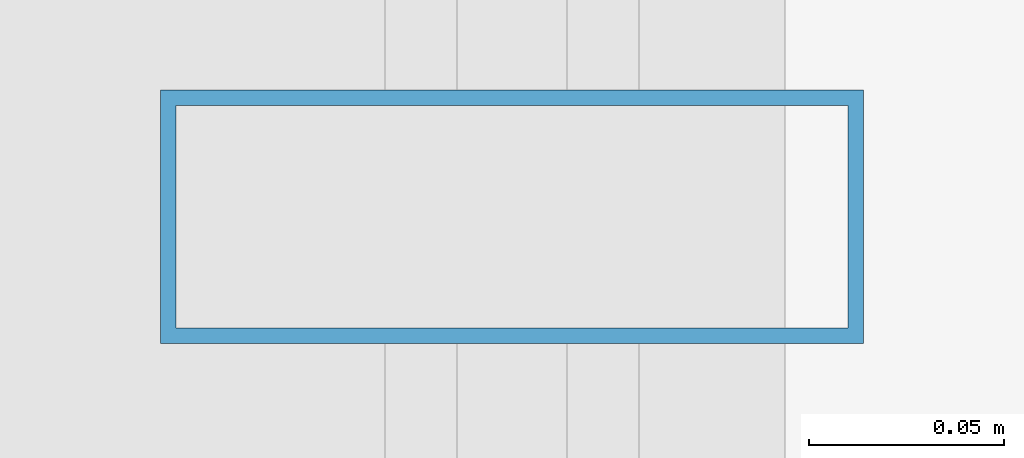
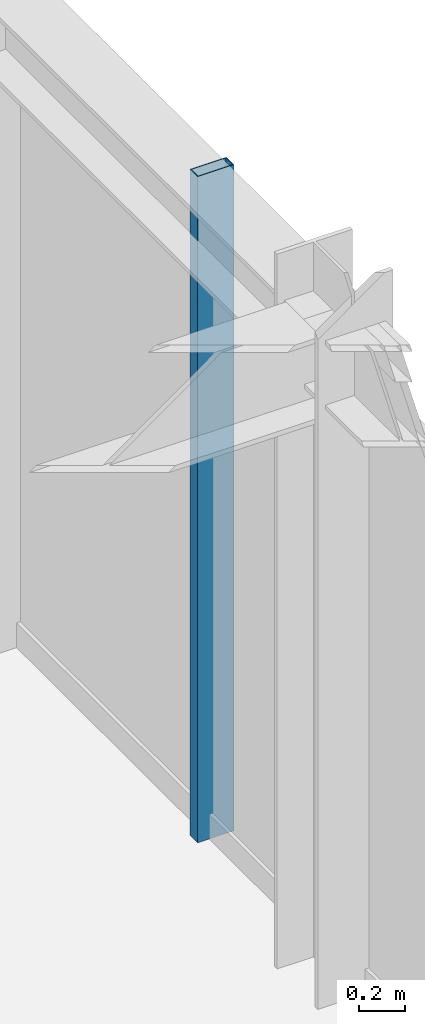
# One storey, part 16 of 36: 1 member, 1 element without a shape of its own.
"""IFC4 building model written with IfcOpenShell, lengths in metres."""

from ifc_helpers import new_model, si_unit, direction, frame, origin, origin_2d, place, context, subcontext, project, spatial, hollow_rectangle, extrude, source, transform, mapped, material, material_profile, profile_set, type_object, element, aggregate, save


model = new_model("IFC4")

# Units and contexts
model_context = context("Model", 3, precision=1e-05, world=origin(), true_north=direction((0.0, 1.0)))
body_context = subcontext(model_context, "Body", "Model", "MODEL_VIEW")
ifc_project = project(units=[si_unit("LENGTHUNIT", "METRE"), si_unit("AREAUNIT", "SQUARE_METRE"), si_unit("VOLUMEUNIT", "CUBIC_METRE"), si_unit("PLANEANGLEUNIT", "RADIAN"), si_unit("MASSUNIT", "GRAM", prefix="KILO")], contexts=[model_context])

# Site, building, storey
site_placement = place(None, origin())
site = spatial("IfcSite", under=ifc_project, at=site_placement, CompositionType="ELEMENT")
building_placement = place(site_placement, origin())
building = spatial("IfcBuilding", under=site, at=building_placement, Name="Nahalor Promenade Grand Hotel", CompositionType="ELEMENT")
storey_placement = place(building_placement, frame((0.0, 0.0, 319.550048828125)))
storey = spatial("IfcBuildingStorey", under=building, at=storey_placement, Name="L82", CompositionType="ELEMENT", Elevation=319.550048828125)

# Curtain wall, member
ifc_material = material(Name="Anodised Bronze Aluminium EN AW-6063 T6", Category="aluminium")
curtain_wall_type = type_object("IfcCurtainWallType", Name="CW2 Typical Hotel Flush Bronze Unitised Curtain Wall", PredefinedType="USERDEFINED", material=ifc_material)
curtain_wall_placement = place(storey_placement, origin())
curtain_wall = element("IfcCurtainWall", 1, at=curtain_wall_placement, inside=storey, type_object=curtain_wall_type, Name="L82 Curtain Wall CW-L82-E-1", ObjectType="UNITISED_CURTAIN_WALL", PredefinedType="USERDEFINED")
ifc_material_profile = material_profile(ifc_material, hollow_rectangle(XDim=0.065, YDim=0.18, WallThickness=0.004, at=origin_2d()), Name="CWM 65x180x4")
ifc_profile_set = profile_set([ifc_material_profile], Name="Anodised Bronze Aluminium EN AW-6063 T6")
member_type = type_object("IfcMemberType", Name="CWM2 Typical Bronze Mullion 65x180", PredefinedType="MULLION", material=ifc_profile_set)
shared_shape = source(origin(), body_context, "Body", "SweptSolid", [
    extrude(hollow_rectangle(XDim=0.065, YDim=0.18, WallThickness=0.004, at=origin_2d()), origin(), (0.0, 0.0, 1.0), 3.5),
])
member_placement = place(storey_placement, frame((22.56005859375, 6.586669921875, 0.0), z_axis=(0.0, 0.0, 1.0), x_axis=(0.0, 1.0, 0.0)))
member = element("IfcMember", 2, at=member_placement, type_object=member_type, Name="CW-L82-E-1 Mullion 2", PredefinedType="MULLION", context=body_context, shape_type="MappedRepresentation", body=[
    mapped(shared_shape, transform((0.0, 0.0, 0.0), scale=1.0)),
])
aggregate(curtain_wall, [member])

save(model, "model.ifc")
